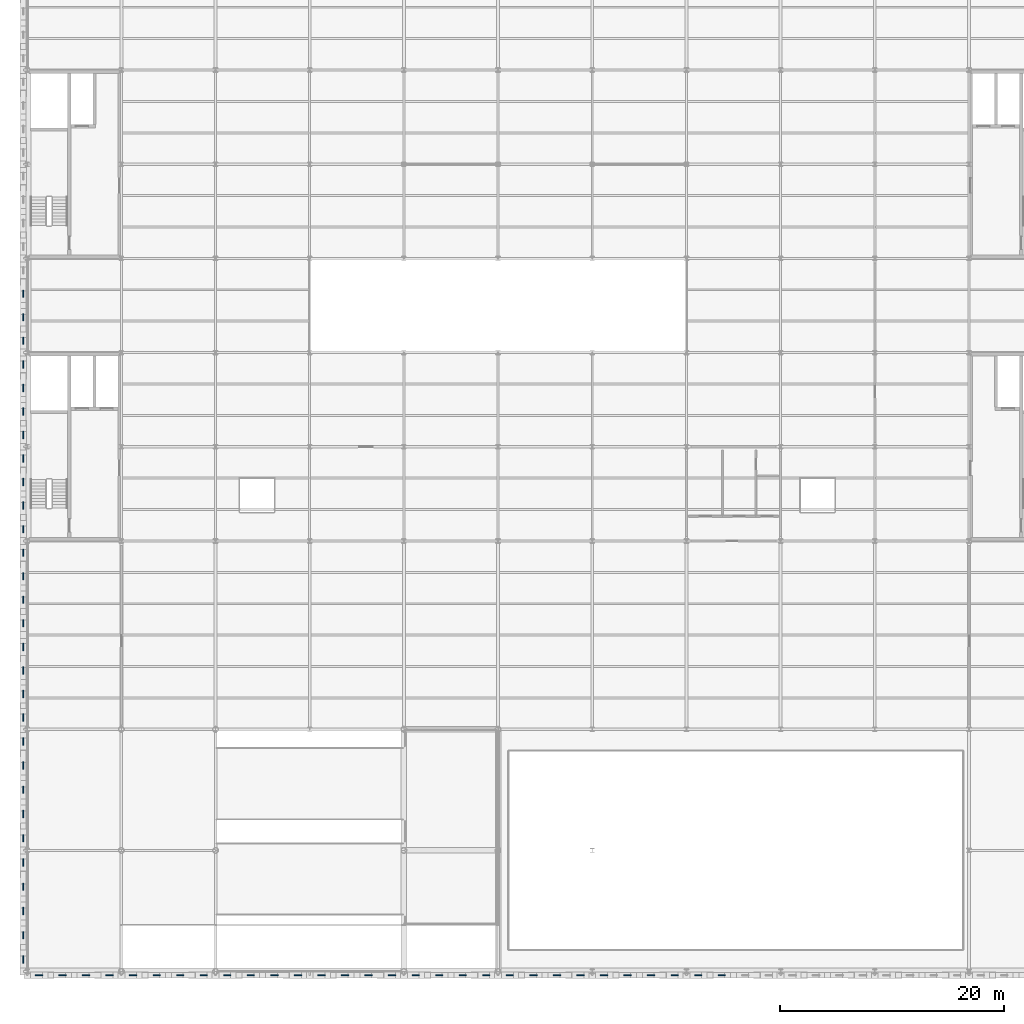
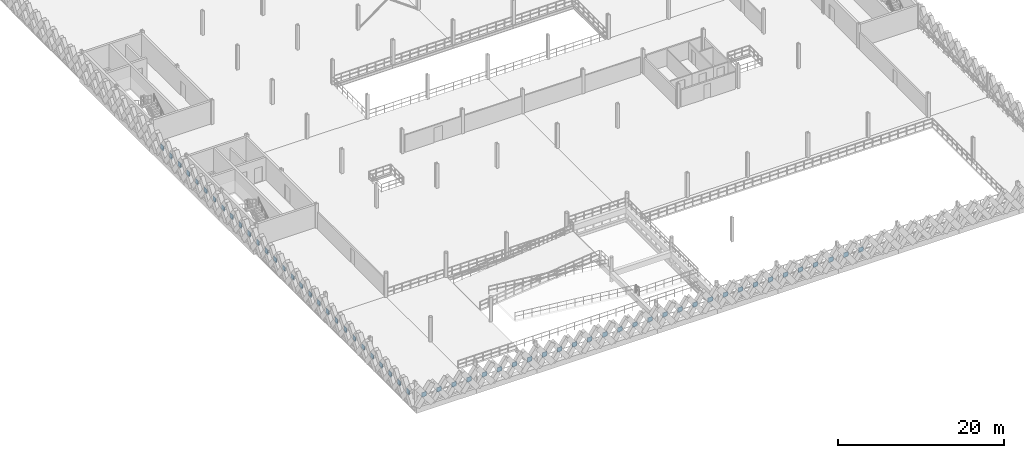
# One storey, part 41 of 62: 59 plates.
"""IFC4 building model written with IfcOpenShell, lengths in metres."""

from ifc_helpers import new_model, si_unit, direction, frame, origin, origin_2d, place, context, subcontext, project, spatial, rectangle, extrude, material, layer, layer_set, type_object, element, save


model = new_model("IFC4")

# Units and contexts
model_context = context("Model", 3, precision=1e-05, world=origin(), true_north=direction((0.0, 1.0)))
body_context = subcontext(model_context, "Body", "Model", "MODEL_VIEW")
ifc_project = project(units=[si_unit("LENGTHUNIT", "METRE"), si_unit("AREAUNIT", "SQUARE_METRE"), si_unit("VOLUMEUNIT", "CUBIC_METRE"), si_unit("PLANEANGLEUNIT", "RADIAN"), si_unit("MASSUNIT", "GRAM", prefix="KILO"), si_unit("THERMODYNAMICTEMPERATUREUNIT", "KELVIN"), si_unit("POWERUNIT", "WATT")], contexts=[model_context])

# Site, building, storey
site_placement = place(None, origin())
site = spatial("IfcSite", under=ifc_project, at=site_placement, CompositionType="ELEMENT")
building_placement = place(site_placement, origin())
building = spatial("IfcBuilding", under=site, at=building_placement, Name="Tembeka Court Mobility Hub", CompositionType="ELEMENT")
storey_placement = place(building_placement, frame((0.0, 0.0, 16.199951171875)))
storey = spatial("IfcBuildingStorey", under=building, at=storey_placement, Name="L04", CompositionType="ELEMENT", Elevation=16.199951171875)

# Plates
ifc_material = material(Name="Precast concrete C45/55", Category="concrete")
ifc_layer = layer(ifc_material, 0.090087890625)
ifc_layer_set = layer_set([ifc_layer], Name="Precast concrete C45/55")
plate_type = type_object("IfcPlateType", Name="PL-PC01", PredefinedType="SHEET", material=ifc_layer_set)
for number, where, z_axis, x_axis, name in (
    (1, (1.050048828125, -0.340087890625, 1.16015625), (0.0, 0.0, 1.0), (1.0, 0.0, 0.0), "Precast diamond lattice node plate PCN01 (L04-589)"),
    (2, (3.14990234375, -0.340087890625, 1.16015625), (0.0, 0.0, 1.0), (1.0, 0.0, 0.0), "Precast diamond lattice node plate PCN01 (L04-590)"),
    (3, (5.25, -0.340087890625, 1.16015625), (0.0, 0.0, 1.0), (1.0, 0.0, 0.0), "Precast diamond lattice node plate PCN01 (L04-591)"),
    (4, (7.35009765625, -0.340087890625, 1.16015625), (0.0, 0.0, 1.0), (1.0, 0.0, 0.0), "Precast diamond lattice node plate PCN01 (L04-592)"),
    (5, (9.449951171875, -0.340087890625, 1.16015625), (0.0, 0.0, 1.0), (1.0, 0.0, 0.0), "Precast diamond lattice node plate PCN01 (L04-593)"),
    (6, (11.550048828125, -0.340087890625, 1.16015625), (0.0, 0.0, 1.0), (1.0, 0.0, 0.0), "Precast diamond lattice node plate PCN01 (L04-594)"),
    (7, (13.64990234375, -0.340087890625, 1.16015625), (0.0, 0.0, 1.0), (1.0, 0.0, 0.0), "Precast diamond lattice node plate PCN01 (L04-595)"),
    (8, (15.75, -0.340087890625, 1.16015625), (0.0, 0.0, 1.0), (1.0, 0.0, 0.0), "Precast diamond lattice node plate PCN01 (L04-596)"),
    (9, (17.85009765625, -0.340087890625, 1.16015625), (0.0, 0.0, 1.0), (1.0, 0.0, 0.0), "Precast diamond lattice node plate PCN01 (L04-597)"),
    (10, (19.949951171875, -0.340087890625, 1.16015625), (0.0, 0.0, 1.0), (1.0, 0.0, 0.0), "Precast diamond lattice node plate PCN01 (L04-598)"),
    (11, (22.050048828125, -0.340087890625, 1.16015625), (0.0, 0.0, 1.0), (1.0, 0.0, 0.0), "Precast diamond lattice node plate PCN01 (L04-599)"),
    (12, (24.14990234375, -0.340087890625, 1.16015625), (0.0, 0.0, 1.0), (1.0, 0.0, 0.0), "Precast diamond lattice node plate PCN01 (L04-600)"),
    (13, (26.25, -0.340087890625, 1.16015625), (0.0, 0.0, 1.0), (1.0, 0.0, 0.0), "Precast diamond lattice node plate PCN01 (L04-601)"),
    (14, (28.35009765625, -0.340087890625, 1.16015625), (0.0, 0.0, 1.0), (1.0, 0.0, 0.0), "Precast diamond lattice node plate PCN01 (L04-602)"),
    (15, (30.449951171875, -0.340087890625, 1.16015625), (0.0, 0.0, 1.0), (1.0, 0.0, 0.0), "Precast diamond lattice node plate PCN01 (L04-603)"),
    (16, (32.550048828125, -0.340087890625, 1.16015625), (0.0, 0.0, 1.0), (1.0, 0.0, 0.0), "Precast diamond lattice node plate PCN01 (L04-604)"),
    (17, (34.64990234375, -0.340087890625, 1.16015625), (0.0, 0.0, 1.0), (1.0, 0.0, 0.0), "Precast diamond lattice node plate PCN01 (L04-605)"),
    (18, (36.75, -0.340087890625, 1.16015625), (0.0, 0.0, 1.0), (1.0, 0.0, 0.0), "Precast diamond lattice node plate PCN01 (L04-606)"),
    (19, (38.85009765625, -0.340087890625, 1.16015625), (0.0, 0.0, 1.0), (1.0, 0.0, 0.0), "Precast diamond lattice node plate PCN01 (L04-607)"),
    (20, (40.949951171875, -0.340087890625, 1.16015625), (0.0, 0.0, 1.0), (1.0, 0.0, 0.0), "Precast diamond lattice node plate PCN01 (L04-608)"),
    (21, (43.050048828125, -0.340087890625, 1.16015625), (0.0, 0.0, 1.0), (1.0, 0.0, 0.0), "Precast diamond lattice node plate PCN01 (L04-609)"),
    (22, (45.14990234375, -0.340087890625, 1.16015625), (0.0, 0.0, 1.0), (1.0, 0.0, 0.0), "Precast diamond lattice node plate PCN01 (L04-610)"),
    (23, (47.25, -0.340087890625, 1.16015625), (0.0, 0.0, 1.0), (1.0, 0.0, 0.0), "Precast diamond lattice node plate PCN01 (L04-611)"),
    (24, (49.35009765625, -0.340087890625, 1.16015625), (0.0, 0.0, 1.0), (1.0, 0.0, 0.0), "Precast diamond lattice node plate PCN01 (L04-612)"),
    (25, (51.449951171875, -0.340087890625, 1.16015625), (0.0, 0.0, 1.0), (1.0, 0.0, 0.0), "Precast diamond lattice node plate PCN01 (L04-613)"),
    (26, (53.550048828125, -0.340087890625, 1.16015625), (0.0, 0.0, 1.0), (1.0, 0.0, 0.0), "Precast diamond lattice node plate PCN01 (L04-614)"),
    (27, (55.64990234375, -0.340087890625, 1.16015625), (0.0, 0.0, 1.0), (1.0, 0.0, 0.0), "Precast diamond lattice node plate PCN01 (L04-615)"),
    (28, (57.75, -0.340087890625, 1.16015625), (0.0, 0.0, 1.0), (1.0, 0.0, 0.0), "Precast diamond lattice node plate PCN01 (L04-616)"),
    (29, (59.85009765625, -0.340087890625, 1.16015625), (0.0, 0.0, 1.0), (1.0, 0.0, 0.0), "Precast diamond lattice node plate PCN01 (L04-617)"),
    (30, (61.949951171875, -0.340087890625, 1.16015625), (0.0, 0.0, 1.0), (1.0, 0.0, 0.0), "Precast diamond lattice node plate PCN01 (L04-618)"),
):
    element("IfcPlate", number, at=place(storey_placement, frame(where, z_axis=z_axis, x_axis=x_axis)), inside=storey, type_object=plate_type, Name=name, PredefinedType="SHEET", context=body_context, shape_type="SweptSolid", body=[
        extrude(rectangle(XDim=0.64990234375, YDim=0.090087890625, at=origin_2d()), origin(), (0.0, 0.0, 1.0), 0.64990234375),
    ])
for number, where, z_axis, x_axis, name in (
    (31, (-0.340087890625, 1.080078125, 1.16015625), (0.0, 0.0, 1.0), (1.0, 0.0, 0.0), "Precast diamond lattice node plate PCN01 (L04-677)"),
    (32, (-0.340087890625, 3.239990234375, 1.16015625), (0.0, 0.0, 1.0), (1.0, 0.0, 0.0), "Precast diamond lattice node plate PCN01 (L04-678)"),
    (33, (-0.340087890625, 5.39990234375, 1.16015625), (0.0, 0.0, 1.0), (1.0, 0.0, 0.0), "Precast diamond lattice node plate PCN01 (L04-679)"),
    (34, (-0.340087890625, 7.56005859375, 1.16015625), (0.0, 0.0, 1.0), (1.0, 0.0, 0.0), "Precast diamond lattice node plate PCN01 (L04-680)"),
    (35, (-0.340087890625, 9.719970703125, 1.16015625), (0.0, 0.0, 1.0), (1.0, 0.0, 0.0), "Precast diamond lattice node plate PCN01 (L04-681)"),
    (36, (-0.340087890625, 11.8798828125, 1.16015625), (0.0, 0.0, 1.0), (1.0, 0.0, 0.0), "Precast diamond lattice node plate PCN01 (L04-682)"),
    (37, (-0.340087890625, 14.0400390625, 1.16015625), (0.0, 0.0, 1.0), (1.0, 0.0, 0.0), "Precast diamond lattice node plate PCN01 (L04-683)"),
    (38, (-0.340087890625, 16.199951171875, 1.16015625), (0.0, 0.0, 1.0), (1.0, 0.0, 0.0), "Precast diamond lattice node plate PCN01 (L04-684)"),
    (39, (-0.340087890625, 18.360107421875, 1.16015625), (0.0, 0.0, 1.0), (1.0, 0.0, 0.0), "Precast diamond lattice node plate PCN01 (L04-685)"),
    (40, (-0.340087890625, 20.52001953125, 1.16015625), (0.0, 0.0, 1.0), (1.0, 0.0, 0.0), "Precast diamond lattice node plate PCN01 (L04-686)"),
    (41, (-0.340087890625, 22.64990234375, 1.16015625), (0.0, 0.0, 1.0), (1.0, 0.0, 0.0), "Precast diamond lattice node plate PCN01 (L04-687)"),
    (42, (-0.340087890625, 24.75, 1.16015625), (0.0, 0.0, 1.0), (1.0, 0.0, 0.0), "Precast diamond lattice node plate PCN01 (L04-688)"),
    (43, (-0.340087890625, 26.85009765625, 1.16015625), (0.0, 0.0, 1.0), (1.0, 0.0, 0.0), "Precast diamond lattice node plate PCN01 (L04-689)"),
    (44, (-0.340087890625, 28.949951171875, 1.16015625), (0.0, 0.0, 1.0), (1.0, 0.0, 0.0), "Precast diamond lattice node plate PCN01 (L04-690)"),
    (45, (-0.340087890625, 31.050048828125, 1.16015625), (0.0, 0.0, 1.0), (1.0, 0.0, 0.0), "Precast diamond lattice node plate PCN01 (L04-691)"),
    (46, (-0.340087890625, 33.14990234375, 1.16015625), (0.0, 0.0, 1.0), (1.0, 0.0, 0.0), "Precast diamond lattice node plate PCN01 (L04-692)"),
    (47, (-0.340087890625, 35.25, 1.16015625), (0.0, 0.0, 1.0), (1.0, 0.0, 0.0), "Precast diamond lattice node plate PCN01 (L04-693)"),
    (48, (-0.340087890625, 37.35009765625, 1.16015625), (0.0, 0.0, 1.0), (1.0, 0.0, 0.0), "Precast diamond lattice node plate PCN01 (L04-694)"),
    (49, (-0.340087890625, 39.449951171875, 1.16015625), (0.0, 0.0, 1.0), (1.0, 0.0, 0.0), "Precast diamond lattice node plate PCN01 (L04-695)"),
    (50, (-0.340087890625, 41.550048828125, 1.16015625), (0.0, 0.0, 1.0), (1.0, 0.0, 0.0), "Precast diamond lattice node plate PCN01 (L04-696)"),
    (51, (-0.340087890625, 43.64990234375, 1.16015625), (0.0, 0.0, 1.0), (1.0, 0.0, 0.0), "Precast diamond lattice node plate PCN01 (L04-697)"),
    (52, (-0.340087890625, 45.75, 1.16015625), (0.0, 0.0, 1.0), (1.0, 0.0, 0.0), "Precast diamond lattice node plate PCN01 (L04-698)"),
    (53, (-0.340087890625, 47.85009765625, 1.16015625), (0.0, 0.0, 1.0), (1.0, 0.0, 0.0), "Precast diamond lattice node plate PCN01 (L04-699)"),
    (54, (-0.340087890625, 49.949951171875, 1.16015625), (0.0, 0.0, 1.0), (1.0, 0.0, 0.0), "Precast diamond lattice node plate PCN01 (L04-700)"),
    (55, (-0.340087890625, 52.050048828125, 1.16015625), (0.0, 0.0, 1.0), (1.0, 0.0, 0.0), "Precast diamond lattice node plate PCN01 (L04-701)"),
    (56, (-0.340087890625, 54.14990234375, 1.16015625), (0.0, 0.0, 1.0), (1.0, 0.0, 0.0), "Precast diamond lattice node plate PCN01 (L04-702)"),
    (57, (-0.340087890625, 56.25, 1.16015625), (0.0, 0.0, 1.0), (1.0, 0.0, 0.0), "Precast diamond lattice node plate PCN01 (L04-703)"),
    (58, (-0.340087890625, 58.35009765625, 1.16015625), (0.0, 0.0, 1.0), (1.0, 0.0, 0.0), "Precast diamond lattice node plate PCN01 (L04-704)"),
    (59, (-0.340087890625, 60.449951171875, 1.16015625), (0.0, 0.0, 1.0), (1.0, 0.0, 0.0), "Precast diamond lattice node plate PCN01 (L04-705)"),
):
    element("IfcPlate", number, at=place(storey_placement, frame(where, z_axis=z_axis, x_axis=x_axis)), inside=storey, type_object=plate_type, Name=name, PredefinedType="SHEET", context=body_context, shape_type="SweptSolid", body=[
        extrude(rectangle(XDim=0.090087890625, YDim=0.64990234375, at=origin_2d()), origin(), (0.0, 0.0, 1.0), 0.64990234375),
    ])

save(model, "model.ifc")
